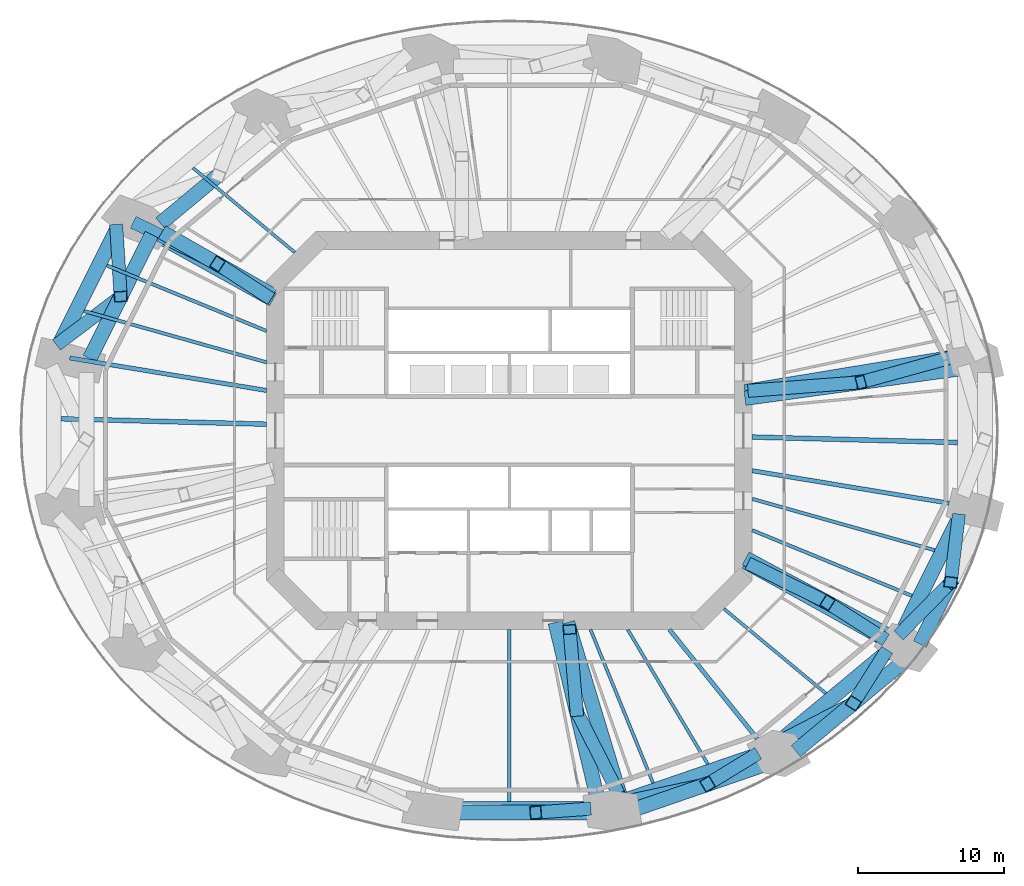
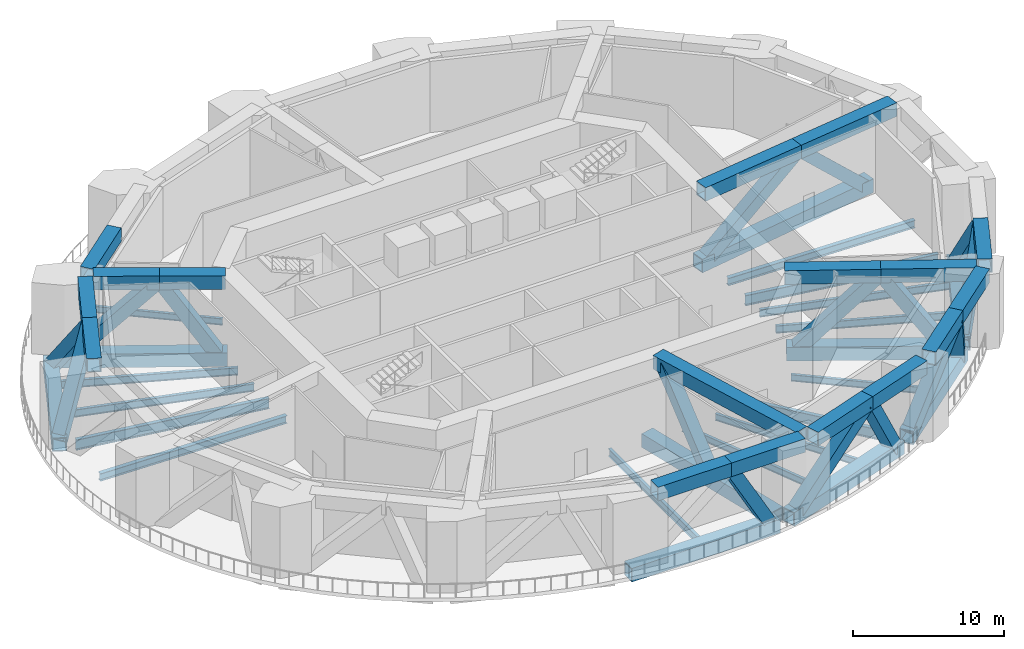
# One storey, part 2 of 12: 44 members, 14 beams.
"""IFC4 building model written with IfcOpenShell, lengths in metres."""

import ifcopenshell
import ifcopenshell.guid

model = None  # the IFC model being written
_history = None  # IfcOwnerHistory: only IFC2X3 demands one
_inside = {}  # id of a spatial element -> (the spatial element, [elements in it])
_under = {}  # id of a project, library or spatial element -> (it, [spatial elements below it])
_declared = {}  # id of a project -> (the project, [libraries it declares])
_typed = {}  # id of a type object -> (the type object, [elements of that type])
_made_of = {}  # id of a material, layer set ... -> (it, [elements and type objects made of it])


def new_model(schema):
    """Start an empty IFC model of exactly this schema.

    Asked for "IFC4X3", IfcOpenShell would pick the latest addendum, in which some entities
    have other attributes; the version numbers below select the first issue.
    IFC2X3 requires an IfcOwnerHistory on every rooted entity: one is made here for all.
    """
    global model, _history
    if schema == "IFC4X3":
        model = ifcopenshell.file(schema_version=(4, 3, 0, 0))
    else:
        model = ifcopenshell.file(schema=schema)
    _inside.clear()
    _under.clear()
    _declared.clear()
    _typed.clear()
    _made_of.clear()
    _history = None
    if model.schema == "IFC2X3":
        org = make("IfcOrganization", Name="unknown")
        user = make(
            "IfcPersonAndOrganization",
            ThePerson=make("IfcPerson", FamilyName="unknown"),
            TheOrganization=org,
        )
        app = make(
            "IfcApplication",
            ApplicationDeveloper=org,
            Version="unknown",
            ApplicationFullName="unknown",
            ApplicationIdentifier="unknown",
        )
        _history = make(
            "IfcOwnerHistory",
            OwningUser=user,
            OwningApplication=app,
            ChangeAction="ADDED",
            CreationDate=0,
        )
    return model


def make(cls, **values):
    """One entity of the class cls with the attributes given. An attribute that is None is left unset."""
    return model.create_entity(
        cls, **{name: value for name, value in values.items() if value is not None}
    )


def rooted(cls, **values):
    """An entity with a GlobalId (a new one), such as an element, a storey or a relation."""
    return make(cls, GlobalId=ifcopenshell.guid.new(), OwnerHistory=_history, **values)


def si_unit(unit_type, name, prefix=None):
    """IfcSIUnit, for example si_unit("LENGTHUNIT", "METRE", prefix="MILLI")."""
    return make("IfcSIUnit", UnitType=unit_type, Prefix=prefix, Name=name)


def assignment(units):
    """IfcUnitAssignment: the units of a project."""
    return None if units is None else make("IfcUnitAssignment", Units=units)


def point(xyz):
    """IfcCartesianPoint."""
    return None if xyz is None else make("IfcCartesianPoint", Coordinates=xyz)


def direction(xyz):
    """IfcDirection."""
    return None if xyz is None else make("IfcDirection", DirectionRatios=xyz)


def frame(location, z_axis=None, x_axis=None):
    """IfcAxis2Placement3D, a coordinate frame: its origin and axes. An axis left out is left unset."""
    return make(
        "IfcAxis2Placement3D",
        Location=point(location),
        Axis=direction(z_axis),
        RefDirection=direction(x_axis),
    )


def frame_2d(location, x_axis=None):
    """IfcAxis2Placement2D, a coordinate frame in the plane: its origin and x axis."""
    return make(
        "IfcAxis2Placement2D", Location=point(location), RefDirection=direction(x_axis)
    )


def origin():
    """The frame at (0, 0, 0) with its axes left unset."""
    return frame((0.0, 0.0, 0.0))


def origin_2d():
    """The frame at (0, 0) in the plane with its x axis left unset."""
    return frame_2d((0.0, 0.0))


def place(relative_to, where):
    """IfcLocalPlacement: puts the frame where relative to a parent placement (None: the world)."""
    return make(
        "IfcLocalPlacement", PlacementRelTo=relative_to, RelativePlacement=where
    )


def context(
    kind, dimensions, precision=None, world=None, true_north=None, identifier=None
):
    """IfcGeometricRepresentationContext, for example the 3D "Model" context."""
    return make(
        "IfcGeometricRepresentationContext",
        ContextIdentifier=identifier,
        ContextType=kind,
        CoordinateSpaceDimension=dimensions,
        Precision=precision,
        WorldCoordinateSystem=world,
        TrueNorth=true_north,
    )


def subcontext(parent, identifier, kind, view, scale=None):
    """IfcGeometricRepresentationSubContext, for example "Body" below "Model"."""
    return make(
        "IfcGeometricRepresentationSubContext",
        ContextIdentifier=identifier,
        ContextType=kind,
        ParentContext=parent,
        TargetScale=scale,
        TargetView=view,
    )


def project(units=None, contexts=None):
    """IfcProject with its units and contexts."""
    return rooted(
        "IfcProject",
        Name="project",
        RepresentationContexts=contexts,
        UnitsInContext=assignment(units),
    )


def spatial(cls, under=None, at=None, **own):
    """A site, building, storey or space (cls), placed at a placement, below another one or the project."""
    s = rooted(cls, ObjectPlacement=at, **own)
    if under is not None:
        _under.setdefault(under.id(), (under, []))[1].append(s)
    return s


def profile(cls, at=None, kind="AREA", **sizes):
    """A parametric profile (cls). Its sizes go by their IFC names, for example OverallWidth=200.0."""
    return make(cls, ProfileType=kind, Position=at, **sizes)


def hollow_rectangle(**sizes):
    """IfcRectangleHollowProfileDef."""
    return profile("IfcRectangleHollowProfileDef", **sizes)


def i_section(**sizes):
    """IfcIShapeProfileDef."""
    return profile("IfcIShapeProfileDef", **sizes)


def extrude(swept, where, along, depth):
    """IfcExtrudedAreaSolid: the profile swept, set in the frame where, extruded along a direction by depth."""
    return make(
        "IfcExtrudedAreaSolid",
        SweptArea=swept,
        Position=where,
        ExtrudedDirection=direction(along),
        Depth=depth,
    )


def shape(context_of_items, identifier, shape_type, items):
    """IfcShapeRepresentation: the items that make up one representation, for example the "Body"."""
    return make(
        "IfcShapeRepresentation",
        ContextOfItems=context_of_items,
        RepresentationIdentifier=identifier,
        RepresentationType=shape_type,
        Items=items,
    )


def material(Name=None, Category=None):
    """IfcMaterial."""
    return make("IfcMaterial", Name=Name, Category=Category)


def material_profile(
    of_material, cross_section, Name=None, Category=None, Priority=None
):
    """IfcMaterialProfile: a cross section and its material."""
    return make(
        "IfcMaterialProfile",
        Name=Name,
        Material=of_material,
        Profile=cross_section,
        Priority=Priority,
        Category=Category,
    )


def profile_set(profiles, Name=None, composite=None):
    """IfcMaterialProfileSet."""
    return make(
        "IfcMaterialProfileSet",
        Name=Name,
        MaterialProfiles=profiles,
        CompositeProfile=composite,
    )


def made_of(thing, what):
    """Note that an element or type object is made of a material, layer set ...; save() writes the relation."""
    if what is not None:
        _made_of.setdefault(what.id(), (what, []))[1].append(thing)
    return thing


def type_object(cls, material=None, **own):
    """A type object (cls), such as IfcWallType, which elements share."""
    return made_of(rooted(cls, **own), material)


def element(
    cls,
    number,
    at=None,
    inside=None,
    cuts=None,
    type_object=None,
    material=None,
    context=None,
    identifier="Body",
    shape_type=None,
    held_by="IfcProductDefinitionShape",
    body=None,
    shapes=None,
    **own,
):
    """One element of the class cls, such as IfcWall. Its Tag is "e" and its number.

    at: its placement. inside: the storey or other place that contains it. cuts: it is an
    opening in that element (IfcRelVoidsElement). A single representation is given by context,
    identifier, shape_type and body (its items); several are given by shapes. held_by: the class
    of the entity that holds the representations. save() writes the other relations.
    """
    e = rooted(cls, Tag="e%d" % number, ObjectPlacement=at, **own)
    if body is not None:
        shapes = [shape(context, identifier, shape_type, body)]
    if shapes is not None:
        e.Representation = make(held_by, Representations=shapes)
    if inside is not None:
        _inside.setdefault(inside.id(), (inside, []))[1].append(e)
    if cuts is not None:
        rooted(
            "IfcRelVoidsElement", RelatingBuildingElement=cuts, RelatedOpeningElement=e
        )
    if type_object is not None:
        _typed.setdefault(type_object.id(), (type_object, []))[1].append(e)
    return made_of(e, material)


def aggregate(whole, parts):
    """IfcRelAggregates: a whole, such as a stair, and the parts it consists of."""
    return rooted("IfcRelAggregates", RelatingObject=whole, RelatedObjects=parts)


def save(model, path):
    """Write the relations noted so far, then the file.

    IfcRelAggregates (storeys below a building ...), IfcRelContainedInSpatialStructure (elements
    in a storey), IfcRelDefinesByType, IfcRelAssociatesMaterial and IfcRelDeclares: one each for
    every whole, place, type object, material and project.
    """
    for whole, parts in _under.values():
        aggregate(whole, parts)
    for where, things in _inside.values():
        rooted(
            "IfcRelContainedInSpatialStructure",
            RelatedElements=things,
            RelatingStructure=where,
        )
    for kind, things in _typed.values():
        rooted("IfcRelDefinesByType", RelatedObjects=things, RelatingType=kind)
    for what, things in _made_of.values():
        rooted("IfcRelAssociatesMaterial", RelatedObjects=things, RelatingMaterial=what)
    for by, libraries in _declared.values():
        rooted("IfcRelDeclares", RelatingContext=by, RelatedDefinitions=libraries)
    model.write(path)


model = new_model("IFC4")

# Units and contexts
model_context = context("Model", 3, precision=1e-05, world=origin(), true_north=direction((0.0, 1.0)))
body_context = subcontext(model_context, "Body", "Model", "MODEL_VIEW")
ifc_project = project(units=[si_unit("LENGTHUNIT", "METRE"), si_unit("AREAUNIT", "SQUARE_METRE"), si_unit("VOLUMEUNIT", "CUBIC_METRE"), si_unit("PLANEANGLEUNIT", "RADIAN"), si_unit("MASSUNIT", "GRAM", prefix="KILO")], contexts=[model_context])

# Site, building, storey
site_placement = place(None, origin())
site = spatial("IfcSite", under=ifc_project, at=site_placement, CompositionType="ELEMENT")
building_placement = place(site_placement, origin())
building = spatial("IfcBuilding", under=site, at=building_placement, Name="Marenthal Gate Tower", CompositionType="ELEMENT")
storey_placement = place(building_placement, frame((0.0, 0.0, 149.64990234375)))
storey = spatial("IfcBuildingStorey", under=building, at=storey_placement, Name="L32", CompositionType="ELEMENT", Elevation=149.64990234375)

# Beams
ifc_material_1 = material(Name="Steel S355", Category="steel")
ifc_material_profile_1 = material_profile(ifc_material_1, i_section(OverallWidth=0.2099609375, OverallDepth=0.535888671875, WebThickness=0.010986328125, FlangeThickness=0.017333984375, FilletRadius=0.0126953125, at=origin_2d()), Name="W530X101")
ifc_profile_set_1 = profile_set([ifc_material_profile_1], Name="Steel S355")
beam_type_1 = type_object("IfcBeamType", Name="W530X101 beam", PredefinedType="BEAM", material=ifc_profile_set_1)
for number, where, z_axis, x_axis, name in (
    (1, (-21.63623046875, 17.968017578125, -0.56787109375), (0.769315904911, -0.638868561169, 0.0), (0.638868561169, 0.769315904911, 0.0), "BM-L32-17"),
    (2, (21.63623046875, -17.968017578125, -0.56787109375), (-0.769315904911, 0.638868561169, 0.0), (-0.638868561169, -0.769315904911, 0.0), "BM-L32-29"),
):
    element("IfcBeam", number, at=place(storey_placement, frame(where, z_axis=z_axis, x_axis=x_axis)), inside=storey, type_object=beam_type_1, Name=name, PredefinedType="BEAM", context=body_context, shape_type="SweptSolid", body=[
        extrude(i_section(OverallWidth=0.2099609375, OverallDepth=0.535888671875, WebThickness=0.010986328125, FlangeThickness=0.017333984375, FilletRadius=0.0126953125, at=origin_2d()), origin(), (0.0, 0.0, 1.0), 9.058349609375),
    ])
ifc_material_2 = material(Name="Steel S355", Category="steel")
ifc_material_profile_2 = material_profile(ifc_material_2, i_section(OverallWidth=0.2119140625, OverallDepth=0.5439453125, WebThickness=0.01318359375, FlangeThickness=0.021240234375, FilletRadius=0.0126953125, at=origin_2d()), Name="W530X123")
ifc_profile_set_2 = profile_set([ifc_material_profile_2], Name="Steel S355")
beam_type_2 = type_object("IfcBeamType", Name="W530X123 beam", PredefinedType="BEAM", material=ifc_profile_set_2)
beam_1_placement = place(storey_placement, frame((9.823974609375, -24.09375, -0.572021484375), z_axis=(-0.377552126987, 0.92598833222, 0.0), x_axis=(-0.92598833222, -0.377552126987, 0.0)))
element("IfcBeam", 3, at=beam_1_placement, inside=storey, type_object=beam_type_2, Name="BM-L32-27", PredefinedType="BEAM", context=body_context, shape_type="SweptSolid", body=[
    extrude(i_section(OverallWidth=0.2119140625, OverallDepth=0.5439453125, WebThickness=0.01318359375, FlangeThickness=0.021240234375, FilletRadius=0.0126953125, at=origin_2d()), origin(), (0.0, 0.0, 1.0), 11.332275390625),
])
beam_2_placement = place(storey_placement, frame((13.568359375, -22.8056640625, -0.572021484375), z_axis=(-0.511314756252, 0.859393518732, 0.0), x_axis=(-0.859393518732, -0.511314756252, 0.0)))
element("IfcBeam", 4, at=beam_2_placement, inside=storey, type_object=beam_type_2, Name="BM-L32-28", PredefinedType="BEAM", context=body_context, shape_type="SweptSolid", body=[
    extrude(i_section(OverallWidth=0.2119140625, OverallDepth=0.5439453125, WebThickness=0.01318359375, FlangeThickness=0.021240234375, FilletRadius=0.0126953125, at=origin_2d()), origin(), (0.0, 0.0, 1.0), 10.711669921875),
])
ifc_material_3 = material(Name="Steel S355", Category="steel")
ifc_material_profile_3 = material_profile(ifc_material_3, i_section(OverallWidth=0.22900390625, OverallDepth=0.612060546875, WebThickness=0.011962890625, FlangeThickness=0.01953125, FilletRadius=0.0126953125, at=origin_2d()), Name="W610X125")
ifc_profile_set_3 = profile_set([ifc_material_profile_3], Name="Steel S355")
beam_type_3 = type_object("IfcBeamType", Name="W610X125 beam", PredefinedType="BEAM", material=ifc_profile_set_3)
beam_3_placement = place(storey_placement, frame((-27.526123046875, 11.29443359375, -0.60595703125), z_axis=(0.925148328631, -0.379605808743, 0.0), x_axis=(0.379605808743, 0.925148328631, 0.0)))
element("IfcBeam", 5, at=beam_3_placement, inside=storey, type_object=beam_type_3, Name="BM-L32-18", PredefinedType="BEAM", context=body_context, shape_type="SweptSolid", body=[
    extrude(i_section(OverallWidth=0.22900390625, OverallDepth=0.612060546875, WebThickness=0.011962890625, FlangeThickness=0.01953125, FilletRadius=0.0126953125, at=origin_2d()), origin(), (0.0, 0.0, 1.0), 11.81005859375),
])
beam_4_placement = place(storey_placement, frame((-29.080810546875, 8.177490234375, -0.60595703125), z_axis=(0.962664589347, -0.270697041761, 0.0), x_axis=(0.270697041761, 0.962664589347, 0.0)))
element("IfcBeam", 6, at=beam_4_placement, inside=storey, type_object=beam_type_3, Name="BM-L32-19", PredefinedType="BEAM", context=body_context, shape_type="SweptSolid", body=[
    extrude(i_section(OverallWidth=0.22900390625, OverallDepth=0.612060546875, WebThickness=0.011962890625, FlangeThickness=0.01953125, FilletRadius=0.0126953125, at=origin_2d()), origin(), (0.0, 0.0, 1.0), 12.96484375),
])
beam_5_placement = place(storey_placement, frame((0.0, -25.3701171875, -0.60595703125), z_axis=(0.0, 1.0, 0.0), x_axis=(-1.0, 0.0, 0.0)))
element("IfcBeam", 7, at=beam_5_placement, inside=storey, type_object=beam_type_3, Name="BM-L32-26", PredefinedType="BEAM", context=body_context, shape_type="SweptSolid", body=[
    extrude(i_section(OverallWidth=0.22900390625, OverallDepth=0.612060546875, WebThickness=0.011962890625, FlangeThickness=0.01953125, FilletRadius=0.0126953125, at=origin_2d()), origin(), (0.0, 0.0, 1.0), 11.77001953125),
])
beam_6_placement = place(storey_placement, frame((27.526123046875, -11.29443359375, -0.60595703125), z_axis=(-0.925148328631, 0.379605808743, 0.0), x_axis=(-0.379605808743, -0.925148328631, 0.0)))
element("IfcBeam", 8, at=beam_6_placement, inside=storey, type_object=beam_type_3, Name="BM-L32-30", PredefinedType="BEAM", context=body_context, shape_type="SweptSolid", body=[
    extrude(i_section(OverallWidth=0.22900390625, OverallDepth=0.612060546875, WebThickness=0.011962890625, FlangeThickness=0.01953125, FilletRadius=0.0126953125, at=origin_2d()), origin(), (0.0, 0.0, 1.0), 11.81005859375),
])
beam_7_placement = place(storey_placement, frame((29.080810546875, -8.177490234375, -0.60595703125), z_axis=(-0.962664589347, 0.270697041761, 0.0), x_axis=(-0.270697041761, -0.962664589347, 0.0)))
element("IfcBeam", 9, at=beam_7_placement, inside=storey, type_object=beam_type_3, Name="BM-L32-31", PredefinedType="BEAM", context=body_context, shape_type="SweptSolid", body=[
    extrude(i_section(OverallWidth=0.22900390625, OverallDepth=0.612060546875, WebThickness=0.011962890625, FlangeThickness=0.01953125, FilletRadius=0.0126953125, at=origin_2d()), origin(), (0.0, 0.0, 1.0), 12.96484375),
])
ifc_material_4 = material(Name="Steel S355", Category="steel")
ifc_material_profile_4 = material_profile(ifc_material_4, i_section(OverallWidth=0.324951171875, OverallDepth=0.612060546875, WebThickness=0.0126953125, FlangeThickness=0.01904296875, FilletRadius=0.0126953125, at=origin_2d()), Name="W610X155")
ifc_profile_set_4 = profile_set([ifc_material_profile_4], Name="Steel S355")
beam_type_4 = type_object("IfcBeamType", Name="W610X155 beam", PredefinedType="BEAM", material=ifc_profile_set_4)
for number, where, z_axis, x_axis, name in (
    (10, (-30.651611328125, 0.81005859375, -0.60595703125), (0.999650992378, -0.026417672824, 0.0), (0.026417672824, 0.999650992378, 0.0), "BM-L32-20"),
    (11, (30.651611328125, -0.81005859375, -0.60595703125), (-0.999650992378, 0.026417672824, 0.0), (-0.026417672824, -0.999650992378, 0.0), "BM-L32-32"),
):
    element("IfcBeam", number, at=place(storey_placement, frame(where, z_axis=z_axis, x_axis=x_axis)), inside=storey, type_object=beam_type_4, Name=name, PredefinedType="BEAM", context=body_context, shape_type="SweptSolid", body=[
        extrude(i_section(OverallWidth=0.324951171875, OverallDepth=0.612060546875, WebThickness=0.0126953125, FlangeThickness=0.01904296875, FilletRadius=0.0126953125, at=origin_2d()), origin(), (0.0, 0.0, 1.0), 14.056396484375),
    ])
ifc_material_5 = material(Name="Steel S355", Category="steel")
ifc_material_profile_5 = material_profile(ifc_material_5, i_section(OverallWidth=0.2919921875, OverallDepth=0.841064453125, WebThickness=0.0146484375, FlangeThickness=0.021728515625, FilletRadius=0.017822265625, at=origin_2d()), Name="W840X193")
ifc_profile_set_5 = profile_set([ifc_material_profile_5], Name="Steel S355")
beam_type_5 = type_object("IfcBeamType", Name="W840X193 beam", PredefinedType="BEAM", material=ifc_profile_set_5)
beam_8_placement = place(storey_placement, frame((-30.063720703125, 4.96630859375, -0.720458984375), z_axis=(0.986628394598, -0.162985922621, 0.0), x_axis=(0.162985922621, 0.986628394598, 0.0)))
element("IfcBeam", 12, at=beam_8_placement, inside=storey, type_object=beam_type_5, Name="BM-L32-04", PredefinedType="BEAM", context=body_context, shape_type="SweptSolid", body=[
    extrude(i_section(OverallWidth=0.2919921875, OverallDepth=0.841064453125, WebThickness=0.0146484375, FlangeThickness=0.021728515625, FilletRadius=0.017822265625, at=origin_2d()), origin(), (0.0, 0.0, 1.0), 13.64599609375),
])
beam_9_placement = place(storey_placement, frame((16.9462890625, -21.06201171875, -0.720458984375), z_axis=(-0.626881112165, 0.779114928115, 0.0), x_axis=(-0.779114928115, -0.626881112165, 0.0)))
element("IfcBeam", 13, at=beam_9_placement, inside=storey, type_object=beam_type_5, Name="BM-L32-07", PredefinedType="BEAM", context=body_context, shape_type="SweptSolid", body=[
    extrude(i_section(OverallWidth=0.2919921875, OverallDepth=0.841064453125, WebThickness=0.0146484375, FlangeThickness=0.021728515625, FilletRadius=0.017822265625, at=origin_2d()), origin(), (0.0, 0.0, 1.0), 9.577392578125),
])
beam_10_placement = place(storey_placement, frame((30.063720703125, -4.96630859375, -0.720458984375), z_axis=(-0.986628394598, 0.162985922621, 0.0), x_axis=(-0.162985922621, -0.986628394598, 0.0)))
element("IfcBeam", 14, at=beam_10_placement, inside=storey, type_object=beam_type_5, Name="BM-L32-08", PredefinedType="BEAM", context=body_context, shape_type="SweptSolid", body=[
    extrude(i_section(OverallWidth=0.2919921875, OverallDepth=0.841064453125, WebThickness=0.0146484375, FlangeThickness=0.021728515625, FilletRadius=0.017822265625, at=origin_2d()), origin(), (0.0, 0.0, 1.0), 13.64599609375),
])

# Members
ifc_material_6 = material(Name="Steel S460", Category="steel")
ifc_material_profile_6 = material_profile(ifc_material_6, hollow_rectangle(XDim=1.0, YDim=1.10009765625, WallThickness=0.070068359375, at=origin_2d()), Name="BOX 1100X1000X70")
ifc_profile_set_6 = profile_set([ifc_material_profile_6], Name="Steel S460")
member_type_1 = type_object("IfcMemberType", Name="belt chord BOX 1100X1000X70", PredefinedType="CHORD", material=ifc_profile_set_6)
member_1_placement = place(storey_placement, frame((-19.91943359375, 17.440673828125, 5.2001953125), z_axis=(-0.769247671672, -0.638950717682, 0.0), x_axis=(0.638950717682, -0.769247671672, 0.0)))
element("IfcMember", 15, at=member_1_placement, inside=storey, type_object=member_type_1, Name="BT-L32-28", PredefinedType="CHORD", context=body_context, shape_type="SweptSolid", body=[
    extrude(hollow_rectangle(XDim=1.0, YDim=1.10009765625, WallThickness=0.070068359375, at=origin_2d()), origin(), (0.0, 0.0, 1.0), 5.122802734375),
])
member_2_placement = place(storey_placement, frame((-26.642578125, 14.185791015625, -0.849853515625), z_axis=(-0.446356728124, -0.89485511188, 0.0), x_axis=(0.89485511188, -0.446356728124, 0.0)))
element("IfcMember", 16, at=member_2_placement, inside=storey, type_object=member_type_1, Name="BT-L32-31", PredefinedType="CHORD", context=body_context, shape_type="SweptSolid", body=[
    extrude(hollow_rectangle(XDim=1.0, YDim=1.10009765625, WallThickness=0.070068359375, at=origin_2d()), origin(), (0.0, 0.0, 1.0), 9.57568359375),
])
member_3_placement = place(storey_placement, frame((-24.462890625, 13.406005859375, 5.2001953125), z_axis=(-0.446306845266, -0.894879991881, 0.0), x_axis=(0.894879991881, -0.446306845266, 0.0)))
element("IfcMember", 17, at=member_3_placement, inside=storey, type_object=member_type_1, Name="BT-L32-32", PredefinedType="CHORD", context=body_context, shape_type="SweptSolid", body=[
    extrude(hollow_rectangle(XDim=1.0, YDim=1.10009765625, WallThickness=0.070068359375, at=origin_2d()), origin(), (0.0, 0.0, 1.0), 4.739990234375),
])
member_4_placement = place(storey_placement, frame((-26.578369140625, 9.164306640625, 5.2001953125), z_axis=(-0.446286167884, -0.894890304091, 0.0), x_axis=(0.894890304091, -0.446286167884, 0.0)))
element("IfcMember", 18, at=member_4_placement, inside=storey, type_object=member_type_1, Name="BT-L32-33", PredefinedType="CHORD", context=body_context, shape_type="SweptSolid", body=[
    extrude(hollow_rectangle(XDim=1.0, YDim=1.10009765625, WallThickness=0.070068359375, at=origin_2d()), origin(), (0.0, 0.0, 1.0), 4.73974609375),
])
member_5_placement = place(storey_placement, frame((-5.682861328125, -25.8701171875, -0.849853515625), z_axis=(1.0, 0.0, 0.0), x_axis=(0.0, 1.0, 0.0)))
element("IfcMember", 19, at=member_5_placement, inside=storey, type_object=member_type_1, Name="BT-L32-56", PredefinedType="CHORD", context=body_context, shape_type="SweptSolid", body=[
    extrude(hollow_rectangle(XDim=1.0, YDim=1.10009765625, WallThickness=0.070068359375, at=origin_2d()), origin(), (0.0, 0.0, 1.0), 11.36572265625),
])
for number, where, z_axis, x_axis, name in (
    (20, (-3.82177734375, -26.1123046875, 5.2001953125), (1.0, 0.0, 0.0), (0.0, 1.0, 0.0), "BT-L32-57"),
    (21, (1.800048828125, -26.1123046875, 5.2001953125), (1.0, 0.0, 0.0), (0.0, 1.0, 0.0), "BT-L32-58"),
):
    element("IfcMember", number, at=place(storey_placement, frame(where, z_axis=z_axis, x_axis=x_axis)), inside=storey, type_object=member_type_1, Name=name, PredefinedType="CHORD", context=body_context, shape_type="SweptSolid", body=[
        extrude(hollow_rectangle(XDim=1.0, YDim=1.10009765625, WallThickness=0.070068359375, at=origin_2d()), origin(), (0.0, 0.0, 1.0), 5.621826171875),
    ])
member_6_placement = place(storey_placement, frame((6.682861328125, -25.702880859375, -0.849853515625), z_axis=(0.945616285836, 0.325284244871, 0.0), x_axis=(-0.325284244871, 0.945616285836, 0.0)))
element("IfcMember", 22, at=member_6_placement, inside=storey, type_object=member_type_1, Name="BT-L32-61", PredefinedType="CHORD", context=body_context, shape_type="SweptSolid", body=[
    extrude(hollow_rectangle(XDim=1.0, YDim=1.10009765625, WallThickness=0.070068359375, at=origin_2d()), origin(), (0.0, 0.0, 1.0), 11.078125),
])
member_7_placement = place(storey_placement, frame((8.372314453125, -25.953125, 5.2001953125), z_axis=(0.945610391529, 0.32530137939, 0.0), x_axis=(-0.32530137939, 0.945610391529, 0.0)))
element("IfcMember", 23, at=member_7_placement, inside=storey, type_object=member_type_1, Name="BT-L32-62", PredefinedType="CHORD", context=body_context, shape_type="SweptSolid", body=[
    extrude(hollow_rectangle(XDim=1.0, YDim=1.10009765625, WallThickness=0.070068359375, at=origin_2d()), origin(), (0.0, 0.0, 1.0), 5.480224609375),
])
member_8_placement = place(storey_placement, frame((13.554443359375, -24.17041015625, 5.2001953125), z_axis=(0.945605676945, 0.325315083772, 0.0), x_axis=(-0.325315083772, 0.945605676945, 0.0)))
element("IfcMember", 24, at=member_8_placement, inside=storey, type_object=member_type_1, Name="BT-L32-63", PredefinedType="CHORD", context=body_context, shape_type="SweptSolid", body=[
    extrude(hollow_rectangle(XDim=1.0, YDim=1.10009765625, WallThickness=0.070068359375, at=origin_2d()), origin(), (0.0, 0.0, 1.0), 5.47998046875),
])
member_9_placement = place(storey_placement, frame((18.044189453125, -21.60107421875, -0.849853515625), z_axis=(0.769308410826, 0.638877585326, 0.0), x_axis=(-0.638877585326, 0.769308410826, 0.0)))
element("IfcMember", 25, at=member_9_placement, inside=storey, type_object=member_type_1, Name="BT-L32-66", PredefinedType="CHORD", context=body_context, shape_type="SweptSolid", body=[
    extrude(hollow_rectangle(XDim=1.0, YDim=1.10009765625, WallThickness=0.070068359375, at=origin_2d()), origin(), (0.0, 0.0, 1.0), 10.35302734375),
])
for number, where, z_axis, x_axis, name in (
    (26, (19.57861328125, -21.913818359375, 5.2001953125), (0.769247671672, 0.638950717682, 0.0), (-0.638950717682, 0.769247671672, 0.0), "BT-L32-67"),
    (27, (23.519287109375, -18.640625, 5.2001953125), (0.769290550876, 0.638899090884, 0.0), (-0.638899090884, 0.769290550876, 0.0), "BT-L32-68"),
):
    element("IfcMember", number, at=place(storey_placement, frame(where, z_axis=z_axis, x_axis=x_axis)), inside=storey, type_object=member_type_1, Name=name, PredefinedType="CHORD", context=body_context, shape_type="SweptSolid", body=[
        extrude(hollow_rectangle(XDim=1.0, YDim=1.10009765625, WallThickness=0.070068359375, at=origin_2d()), origin(), (0.0, 0.0, 1.0), 5.122802734375),
    ])
member_10_placement = place(storey_placement, frame((26.642578125, -14.185791015625, -0.849853515625), z_axis=(0.446356728124, 0.89485511188, 0.0), x_axis=(-0.89485511188, 0.446356728124, 0.0)))
element("IfcMember", 28, at=member_10_placement, inside=storey, type_object=member_type_1, Name="BT-L32-71", PredefinedType="CHORD", context=body_context, shape_type="SweptSolid", body=[
    extrude(hollow_rectangle(XDim=1.0, YDim=1.10009765625, WallThickness=0.070068359375, at=origin_2d()), origin(), (0.0, 0.0, 1.0), 9.57568359375),
])
member_11_placement = place(storey_placement, frame((28.06298828125, -14.60595703125, 5.2001953125), z_axis=(0.446327417471, 0.894869731533, 0.0), x_axis=(-0.894869731533, 0.446327417471, 0.0)))
element("IfcMember", 29, at=member_11_placement, inside=storey, type_object=member_type_1, Name="BT-L32-72", PredefinedType="CHORD", context=body_context, shape_type="SweptSolid", body=[
    extrude(hollow_rectangle(XDim=1.0, YDim=1.10009765625, WallThickness=0.070068359375, at=origin_2d()), origin(), (0.0, 0.0, 1.0), 4.73974609375),
])
ifc_material_7 = material(Name="Steel S355", Category="steel")
ifc_material_profile_7 = material_profile(ifc_material_7, hollow_rectangle(XDim=0.89990234375, YDim=0.89990234375, WallThickness=0.050048828125, at=origin_2d()), Name="BOX 900X900X50")
ifc_profile_set_7 = profile_set([ifc_material_profile_7], Name="Steel S355")
member_type_2 = type_object("IfcMemberType", Name="belt diagonal BOX 900X900X50", PredefinedType="BRACE", material=ifc_profile_set_7)
member_12_placement = place(storey_placement, frame((-26.865966796875, 13.73828125, -0.849853515625), z_axis=(0.037892000637, -0.602637208771, 0.797115167897), x_axis=(0.998029085538, 0.062753043115, 0.0)))
element("IfcMember", 30, at=member_12_placement, inside=storey, type_object=member_type_2, Name="BT-L32-34", PredefinedType="BRACE", context=body_context, shape_type="SweptSolid", body=[
    extrude(hollow_rectangle(XDim=0.89990234375, YDim=0.89990234375, WallThickness=0.050048828125, at=origin_2d()), origin(), (0.0, 0.0, 1.0), 7.58984375),
])
member_13_placement = place(storey_placement, frame((-26.578369140625, 9.164306640625, 5.2001953125), z_axis=(-0.517865590951, -0.390088953981, -0.761344756132), x_axis=(0.601666701484, -0.79874725685, 0.0)))
element("IfcMember", 31, at=member_13_placement, inside=storey, type_object=member_type_2, Name="BT-L32-35", PredefinedType="BRACE", context=body_context, shape_type="SweptSolid", body=[
    extrude(hollow_rectangle(XDim=0.89990234375, YDim=0.89990234375, WallThickness=0.050048828125, at=origin_2d()), origin(), (0.0, 0.0, 1.0), 7.946533203125),
])
member_14_placement = place(storey_placement, frame((1.800048828125, -26.1123046875, 5.2001953125), z_axis=(0.487732917869, 0.034918522988, -0.872294272353), x_axis=(-0.071410754705, 0.997446993134, 0.0)))
element("IfcMember", 32, at=member_14_placement, inside=storey, type_object=member_type_2, Name="BT-L32-60", PredefinedType="BRACE", context=body_context, shape_type="SweptSolid", body=[
    extrude(hollow_rectangle(XDim=0.89990234375, YDim=0.89990234375, WallThickness=0.050048828125, at=origin_2d()), origin(), (0.0, 0.0, 1.0), 6.935791015625),
])
member_15_placement = place(storey_placement, frame((7.155517578125, -25.540283203125, -0.849853515625), z_axis=(0.718002599629, 0.153708988421, 0.678856254155), x_axis=(-0.209335446763, 0.977843888731, 0.0)))
element("IfcMember", 33, at=member_15_placement, inside=storey, type_object=member_type_2, Name="BT-L32-64", PredefinedType="BRACE", context=body_context, shape_type="SweptSolid", body=[
    extrude(hollow_rectangle(XDim=0.89990234375, YDim=0.89990234375, WallThickness=0.050048828125, at=origin_2d()), origin(), (0.0, 0.0, 1.0), 8.912109375),
])
member_16_placement = place(storey_placement, frame((13.554443359375, -24.17041015625, 5.2001953125), z_axis=(0.442615525873, 0.269758737389, -0.855173502781), x_axis=(-0.520426305604, 0.853906587652, 0.0)))
element("IfcMember", 34, at=member_16_placement, inside=storey, type_object=member_type_2, Name="BT-L32-65", PredefinedType="BRACE", context=body_context, shape_type="SweptSolid", body=[
    extrude(hollow_rectangle(XDim=0.89990234375, YDim=0.89990234375, WallThickness=0.050048828125, at=origin_2d()), origin(), (0.0, 0.0, 1.0), 7.07470703125),
])
member_17_placement = place(storey_placement, frame((18.428955078125, -21.281494140625, -0.849853515625), z_axis=(0.610645031449, 0.316803228066, 0.725774317714), x_axis=(-0.460514738913, 0.887652057534, 0.0)))
element("IfcMember", 35, at=member_17_placement, inside=storey, type_object=member_type_2, Name="BT-L32-69", PredefinedType="BRACE", context=body_context, shape_type="SweptSolid", body=[
    extrude(hollow_rectangle(XDim=0.89990234375, YDim=0.89990234375, WallThickness=0.050048828125, at=origin_2d()), origin(), (0.0, 0.0, 1.0), 8.3359375),
])
member_18_placement = place(storey_placement, frame((23.519287109375, -18.640625, 5.2001953125), z_axis=(0.291449560716, 0.461735077167, -0.83776958173), x_axis=(-0.845631583259, 0.533767014151, 0.0)))
element("IfcMember", 36, at=member_18_placement, inside=storey, type_object=member_type_2, Name="BT-L32-70", PredefinedType="BRACE", context=body_context, shape_type="SweptSolid", body=[
    extrude(hollow_rectangle(XDim=0.89990234375, YDim=0.89990234375, WallThickness=0.050048828125, at=origin_2d()), origin(), (0.0, 0.0, 1.0), 7.2216796875),
])
member_19_placement = place(storey_placement, frame((26.865966796875, -13.73828125, -0.849853515625), z_axis=(0.431403856082, 0.439384573054, 0.787928873642), x_axis=(-0.713557399593, 0.700596772392, 0.0)))
element("IfcMember", 37, at=member_19_placement, inside=storey, type_object=member_type_2, Name="BT-L32-74", PredefinedType="BRACE", context=body_context, shape_type="SweptSolid", body=[
    extrude(hollow_rectangle(XDim=0.89990234375, YDim=0.89990234375, WallThickness=0.050048828125, at=origin_2d()), origin(), (0.0, 0.0, 1.0), 7.678466796875),
])
member_20_placement = place(storey_placement, frame((30.178466796875, -10.364501953125, 5.2001953125), z_axis=(0.069235506422, 0.577936006928, -0.813139850547), x_axis=(-0.992900559526, 0.118947378675, 0.0)))
element("IfcMember", 38, at=member_20_placement, inside=storey, type_object=member_type_2, Name="BT-L32-75", PredefinedType="BRACE", context=body_context, shape_type="SweptSolid", body=[
    extrude(hollow_rectangle(XDim=0.89990234375, YDim=0.89990234375, WallThickness=0.050048828125, at=origin_2d()), origin(), (0.0, 0.0, 1.0), 7.4404296875),
])
ifc_material_8 = material(Name="Steel S460", Category="steel")
ifc_material_profile_8 = material_profile(ifc_material_8, hollow_rectangle(XDim=1.0, YDim=1.10009765625, WallThickness=0.070068359375, at=origin_2d()), Name="BOX 1100X1000X70")
ifc_profile_set_8 = profile_set([ifc_material_profile_8], Name="Steel S460")
member_type_3 = type_object("IfcMemberType", Name="outrigger chord BOX 1100X1000X70", PredefinedType="CHORD", material=ifc_profile_set_8)
member_21_placement = place(storey_placement, frame((30.556884765625, 5.047607421875, -0.849853515625), z_axis=(-0.986629875188, -0.162976959683, 0.0), x_axis=(0.162976959683, -0.986629875188, 0.0)))
element("IfcMember", 39, at=member_21_placement, inside=storey, type_object=member_type_3, Name="OR-L32-81", PredefinedType="CHORD", context=body_context, shape_type="SweptSolid", body=[
    extrude(hollow_rectangle(XDim=1.0, YDim=1.10009765625, WallThickness=0.070068359375, at=origin_2d()), origin(), (0.0, 0.0, 1.0), 14.64599609375),
])
member_22_placement = place(storey_placement, frame((31.96728515625, 4.39892578125, 5.2001953125), z_axis=(-0.990666335889, -0.136309247435, 0.0), x_axis=(0.136309247435, -0.990666335889, 0.0)))
element("IfcMember", 40, at=member_22_placement, inside=storey, type_object=member_type_3, Name="OR-L32-82", PredefinedType="CHORD", context=body_context, shape_type="SweptSolid", body=[
    extrude(hollow_rectangle(XDim=1.0, YDim=1.10009765625, WallThickness=0.070068359375, at=origin_2d()), origin(), (0.0, 0.0, 1.0), 8.006103515625),
])
member_23_placement = place(storey_placement, frame((24.035888671875, 3.3076171875, 5.2001953125), z_axis=(-0.990661650743, -0.136343293741, 0.0), x_axis=(0.136343293741, -0.990661650743, 0.0)))
element("IfcMember", 41, at=member_23_placement, inside=storey, type_object=member_type_3, Name="OR-L32-83", PredefinedType="CHORD", context=body_context, shape_type="SweptSolid", body=[
    extrude(hollow_rectangle(XDim=1.0, YDim=1.10009765625, WallThickness=0.070068359375, at=origin_2d()), origin(), (0.0, 0.0, 1.0), 8.005859375),
])
member_24_placement = place(storey_placement, frame((-25.8701171875, 14.355224609375, -0.849853515625), z_axis=(0.874404048876, -0.485198474142, 0.0), x_axis=(0.485198474142, 0.874404048876, 0.0)))
element("IfcMember", 42, at=member_24_placement, inside=storey, type_object=member_type_3, Name="OR-L32-96", PredefinedType="CHORD", context=body_context, shape_type="SweptSolid", body=[
    extrude(hollow_rectangle(XDim=1.0, YDim=1.10009765625, WallThickness=0.070068359375, at=origin_2d()), origin(), (0.0, 0.0, 1.0), 11.1015625),
])
for number, where, z_axis, x_axis, name in (
    (43, (-23.751708984375, 13.572021484375, 5.2001953125), (0.868260337601, -0.496108845062, 0.0), (0.496108845062, 0.868260337601, 0.0), "OR-L32-97"),
    (44, (-19.958740234375, 11.40478515625, 5.2001953125), (0.868260337601, -0.496108845062, 0.0), (0.496108845062, 0.868260337601, 0.0), "OR-L32-98"),
):
    element("IfcMember", number, at=place(storey_placement, frame(where, z_axis=z_axis, x_axis=x_axis)), inside=storey, type_object=member_type_3, Name=name, PredefinedType="CHORD", context=body_context, shape_type="SweptSolid", body=[
        extrude(hollow_rectangle(XDim=1.0, YDim=1.10009765625, WallThickness=0.070068359375, at=origin_2d()), origin(), (0.0, 0.0, 1.0), 4.368408203125),
    ])
member_25_placement = place(storey_placement, frame((6.05615234375, -25.283935546875, -0.849853515625), z_axis=(-0.232930226455, 0.972493449646, 0.0), x_axis=(-0.972493449646, -0.232930226455, 0.0)))
element("IfcMember", 45, at=member_25_placement, inside=storey, type_object=member_type_3, Name="OR-L32-111", PredefinedType="CHORD", context=body_context, shape_type="SweptSolid", body=[
    extrude(hollow_rectangle(XDim=1.0, YDim=1.10009765625, WallThickness=0.070068359375, at=origin_2d()), origin(), (0.0, 0.0, 1.0), 6.25732421875),
])
member_26_placement = place(storey_placement, frame((4.5986328125, -19.19873046875, -0.849853515625), z_axis=(-0.232939064985, 0.972491332611, 0.0), x_axis=(-0.972491332611, -0.232939064985, 0.0)))
element("IfcMember", 46, at=member_26_placement, inside=storey, type_object=member_type_3, Name="OR-L32-112", PredefinedType="CHORD", context=body_context, shape_type="SweptSolid", body=[
    extrude(hollow_rectangle(XDim=1.0, YDim=1.10009765625, WallThickness=0.070068359375, at=origin_2d()), origin(), (0.0, 0.0, 1.0), 6.257080078125),
])
member_27_placement = place(storey_placement, frame((7.748046875, -25.5771484375, 5.2001953125), z_axis=(-0.289921487338, 0.957050432934, 0.0), x_axis=(-0.957050432934, -0.289921487338, 0.0)))
element("IfcMember", 47, at=member_27_placement, inside=storey, type_object=member_type_3, Name="OR-L32-113", PredefinedType="CHORD", context=body_context, shape_type="SweptSolid", body=[
    extrude(hollow_rectangle(XDim=1.0, YDim=1.10009765625, WallThickness=0.070068359375, at=origin_2d()), origin(), (0.0, 0.0, 1.0), 13.0146484375),
])
member_28_placement = place(storey_placement, frame((25.8701171875, -14.355224609375, -0.849853515625), z_axis=(-0.874404048876, 0.485198474142, 0.0), x_axis=(-0.485198474142, -0.874404048876, 0.0)))
element("IfcMember", 48, at=member_28_placement, inside=storey, type_object=member_type_3, Name="OR-L32-116", PredefinedType="CHORD", context=body_context, shape_type="SweptSolid", body=[
    extrude(hollow_rectangle(XDim=1.0, YDim=1.10009765625, WallThickness=0.070068359375, at=origin_2d()), origin(), (0.0, 0.0, 1.0), 11.1015625),
])
member_29_placement = place(storey_placement, frame((27.341552734375, -14.781494140625, 5.2001953125), z_axis=(-0.879680454148, 0.475565241151, 0.0), x_axis=(-0.475565241151, -0.879680454148, 0.0)))
element("IfcMember", 49, at=member_29_placement, inside=storey, type_object=member_type_3, Name="OR-L32-117", PredefinedType="CHORD", context=body_context, shape_type="SweptSolid", body=[
    extrude(hollow_rectangle(XDim=1.0, YDim=1.10009765625, WallThickness=0.070068359375, at=origin_2d()), origin(), (0.0, 0.0, 1.0), 6.35546875),
])
member_30_placement = place(storey_placement, frame((21.750732421875, -11.759033203125, 5.2001953125), z_axis=(-0.87967176591, 0.475581311934, 0.0), x_axis=(-0.475581311934, -0.87967176591, 0.0)))
element("IfcMember", 50, at=member_30_placement, inside=storey, type_object=member_type_3, Name="OR-L32-118", PredefinedType="CHORD", context=body_context, shape_type="SweptSolid", body=[
    extrude(hollow_rectangle(XDim=1.0, YDim=1.10009765625, WallThickness=0.070068359375, at=origin_2d()), origin(), (0.0, 0.0, 1.0), 6.355224609375),
])
ifc_material_9 = material(Name="Steel S355", Category="steel")
ifc_material_profile_9 = material_profile(ifc_material_9, hollow_rectangle(XDim=0.89990234375, YDim=0.89990234375, WallThickness=0.050048828125, at=origin_2d()), Name="BOX 900X900X50")
ifc_profile_set_9 = profile_set([ifc_material_profile_9], Name="Steel S355")
member_type_4 = type_object("IfcMemberType", Name="outrigger diagonal BOX 900X900X50", PredefinedType="BRACE", material=ifc_profile_set_9)
member_31_placement = place(storey_placement, frame((30.063720703125, 4.96630859375, -0.849853515625), z_axis=(-0.692858343688, -0.190655309316, 0.695412013566), x_axis=(0.265310776593, -0.964162948792, 0.0)))
element("IfcMember", 51, at=member_31_placement, inside=storey, type_object=member_type_4, Name="OR-L32-84", PredefinedType="BRACE", context=body_context, shape_type="SweptSolid", body=[
    extrude(hollow_rectangle(XDim=0.89990234375, YDim=0.89990234375, WallThickness=0.050048828125, at=origin_2d()), origin(), (0.0, 0.0, 1.0), 8.699951171875),
])
member_32_placement = place(storey_placement, frame((24.035888671875, 3.3076171875, 5.2001953125), z_axis=(-0.774335624924, -0.058881744995, -0.630029586671), x_axis=(0.075822732422, -0.997121313205, 0.0)))
element("IfcMember", 52, at=member_32_placement, inside=storey, type_object=member_type_4, Name="OR-L32-85", PredefinedType="BRACE", context=body_context, shape_type="SweptSolid", body=[
    extrude(hollow_rectangle(XDim=0.89990234375, YDim=0.89990234375, WallThickness=0.050048828125, at=origin_2d()), origin(), (0.0, 0.0, 1.0), 9.602783203125),
])
member_33_placement = place(storey_placement, frame((-25.43310546875, 14.11279296875, -0.849853515625), z_axis=(0.636790604752, -0.315001622794, 0.703755428638), x_axis=(0.443388030051, 0.896329769007, 0.0)))
element("IfcMember", 53, at=member_33_placement, inside=storey, type_object=member_type_4, Name="OR-L32-99", PredefinedType="BRACE", context=body_context, shape_type="SweptSolid", body=[
    extrude(hollow_rectangle(XDim=0.89990234375, YDim=0.89990234375, WallThickness=0.050048828125, at=origin_2d()), origin(), (0.0, 0.0, 1.0), 8.596923828125),
])
member_34_placement = place(storey_placement, frame((-19.958740234375, 11.40478515625, 5.2001953125), z_axis=(0.462676199706, -0.302184026631, -0.833435989309), x_axis=(0.546824598889, 0.83724719053, 0.0)))
element("IfcMember", 54, at=member_34_placement, inside=storey, type_object=member_type_4, Name="OR-L32-100", PredefinedType="BRACE", context=body_context, shape_type="SweptSolid", body=[
    extrude(hollow_rectangle(XDim=0.89990234375, YDim=0.89990234375, WallThickness=0.050048828125, at=origin_2d()), origin(), (0.0, 0.0, 1.0), 7.25927734375),
])
member_35_placement = place(storey_placement, frame((7.60302734375, -25.0986328125, 5.2001953125), z_axis=(-0.334985071713, 0.657829452545, -0.674570539747), x_axis=(-0.891113776275, -0.453779944171, 0.0)))
element("IfcMember", 55, at=member_35_placement, inside=storey, type_object=member_type_4, Name="OR-L32-114", PredefinedType="BRACE", context=body_context, shape_type="SweptSolid", body=[
    extrude(hollow_rectangle(XDim=0.89990234375, YDim=0.89990234375, WallThickness=0.050048828125, at=origin_2d()), origin(), (0.0, 0.0, 1.0), 8.96875),
])
member_36_placement = place(storey_placement, frame((4.5986328125, -19.19873046875, -0.849853515625), z_axis=(-0.057982739499, 0.678052107184, 0.73272323688), x_axis=(-0.996363635512, -0.085202733701, 0.0)))
element("IfcMember", 56, at=member_36_placement, inside=storey, type_object=member_type_4, Name="OR-L32-115", PredefinedType="BRACE", context=body_context, shape_type="SweptSolid", body=[
    extrude(hollow_rectangle(XDim=0.89990234375, YDim=0.89990234375, WallThickness=0.050048828125, at=origin_2d()), origin(), (0.0, 0.0, 1.0), 8.2568359375),
])
member_37_placement = place(storey_placement, frame((25.43310546875, -14.11279296875, -0.849853515625), z_axis=(-0.493387243653, 0.315371372808, 0.810623170785), x_axis=(-0.538573290114, -0.842578667648, 0.0)))
element("IfcMember", 57, at=member_37_placement, inside=storey, type_object=member_type_4, Name="OR-L32-119", PredefinedType="BRACE", context=body_context, shape_type="SweptSolid", body=[
    extrude(hollow_rectangle(XDim=0.89990234375, YDim=0.89990234375, WallThickness=0.050048828125, at=origin_2d()), origin(), (0.0, 0.0, 1.0), 7.46337890625),
])
member_38_placement = place(storey_placement, frame((21.750732421875, -11.759033203125, 5.2001953125), z_axis=(-0.617280101491, 0.305348397363, -0.725070777601), x_axis=(-0.443385752744, -0.89633089552, 0.0)))
element("IfcMember", 58, at=member_38_placement, inside=storey, type_object=member_type_4, Name="OR-L32-120", PredefinedType="BRACE", context=body_context, shape_type="SweptSolid", body=[
    extrude(hollow_rectangle(XDim=0.89990234375, YDim=0.89990234375, WallThickness=0.050048828125, at=origin_2d()), origin(), (0.0, 0.0, 1.0), 8.343994140625),
])

save(model, "model.ifc")
